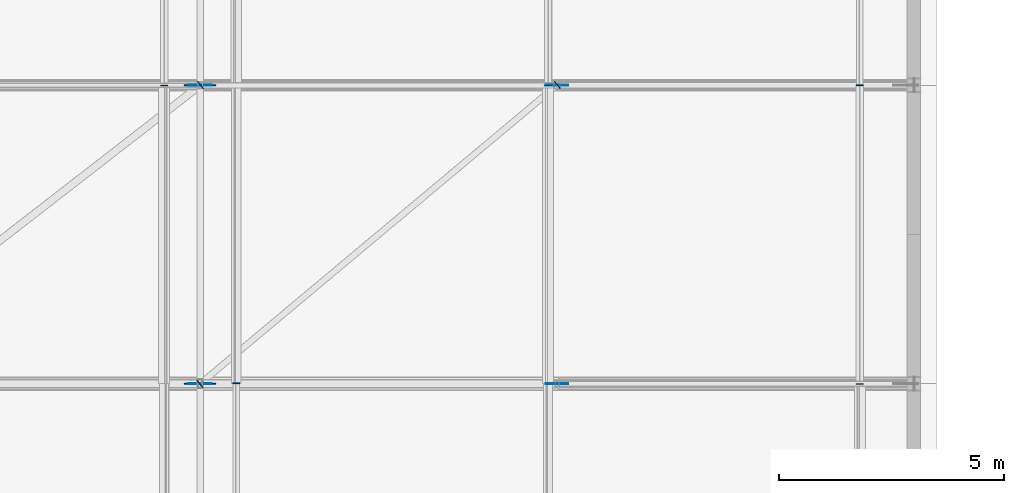
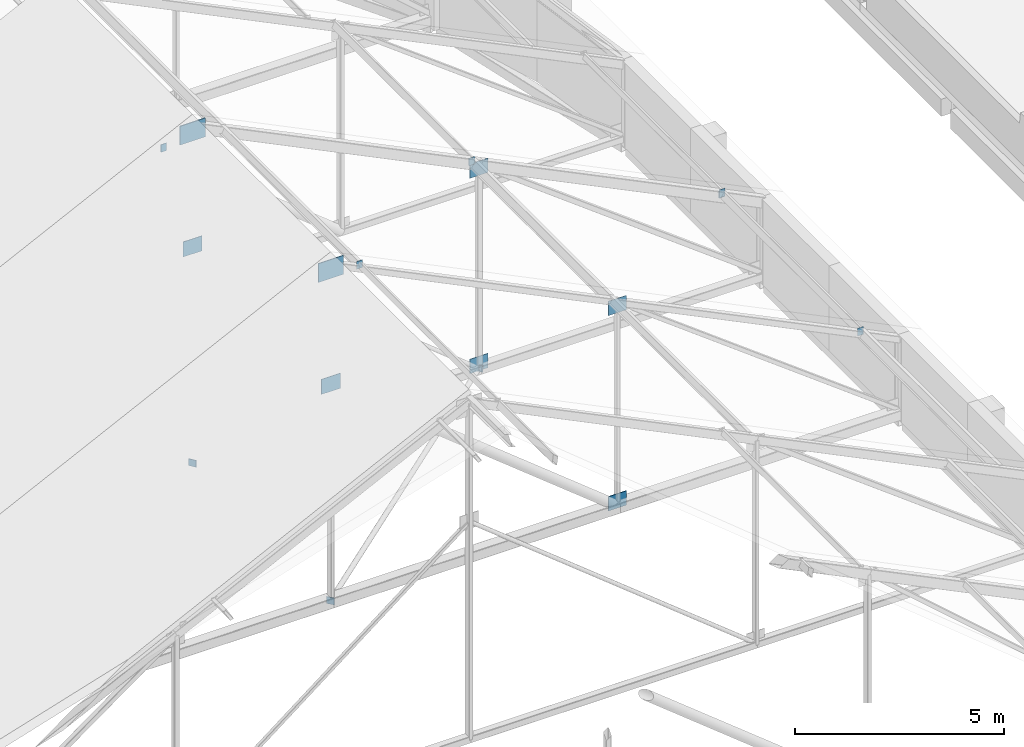
# One storey, part 42 of 78: 17 plates.
"""IFC4 building model written with IfcOpenShell, lengths in metres."""

from ifc_helpers import new_model, si_unit, direction, frame, origin, origin_2d, place, context, subcontext, project, spatial, rectangle, extrude, material, layer, layer_set, type_object, element, save


model = new_model("IFC4")

# Units and contexts
model_context = context("Model", 3, precision=1e-05, world=origin(), true_north=direction((0.0, 1.0)))
body_context = subcontext(model_context, "Body", "Model", "MODEL_VIEW")
ifc_project = project(units=[si_unit("LENGTHUNIT", "METRE"), si_unit("AREAUNIT", "SQUARE_METRE"), si_unit("VOLUMEUNIT", "CUBIC_METRE"), si_unit("PLANEANGLEUNIT", "RADIAN"), si_unit("MASSUNIT", "GRAM", prefix="KILO")], contexts=[model_context])

# Site, building, storey
site_placement = place(None, origin())
site = spatial("IfcSite", under=ifc_project, at=site_placement, CompositionType="ELEMENT")
building_placement = place(site_placement, origin())
building = spatial("IfcBuilding", under=site, at=building_placement, Name="Kelanivale Promenade Academy", CompositionType="ELEMENT")
storey_placement = place(building_placement, frame((0.0, 0.0, 16.199951171875)))
storey = spatial("IfcBuildingStorey", under=building, at=storey_placement, Name="L04", CompositionType="ELEMENT", Elevation=16.199951171875)

# Plates
ifc_material = material(Name="Steel S355", Category="steel")
ifc_layer_1 = layer(ifc_material, 0.01611328125)
ifc_layer_set_1 = layer_set([ifc_layer_1], Name="Steel S355")
plate_type_1 = type_object("IfcPlateType", Name="TN-CP16 Plate 16mm", PredefinedType="USERDEFINED", material=ifc_layer_set_1)
for number, where, z_axis, x_axis, name in (
    (1, (20.39990234375, 52.89404296875, 9.63330078125), (0.0, 0.0, 1.0), (0.0, 1.0, 0.0), "ROOF TRUSS TN-4 hollow-section end cap plate"),
    (2, (34.25, 52.8779296875, 2.8408203125), (0.0, 0.0, 1.0), (0.0, -1.0, 0.0), "ROOF TRUSS TN-4 hollow-section end cap plate"),
    (3, (34.25, 59.52197265625, 2.8408203125), (0.0, 0.0, 1.0), (0.0, 1.0, 0.0), "ROOF TRUSS TN-4 hollow-section end cap plate"),
):
    element("IfcPlate", number, at=place(storey_placement, frame(where, z_axis=z_axis, x_axis=x_axis)), inside=storey, type_object=plate_type_1, Name=name, ObjectType="CAP PLATE", PredefinedType="USERDEFINED", context=body_context, shape_type="SweptSolid", body=[
        extrude(rectangle(XDim=0.01611328125, YDim=0.159912109375, at=origin_2d()), origin(), (0.0, 0.0, 1.0), 0.219970703125),
    ])
for number, where, z_axis, x_axis, name in (
    (4, (19.60595703125, 59.51904296875, 0.10009765625), (0.0, 0.0, 1.0), (0.790261972801, 0.612769136253, 0.0), "ROOF TRUSS TN-3 hollow-section end cap plate"),
    (5, (19.593994140625, 52.881103515625, 0.10009765625), (0.0, 0.0, 1.0), (-0.767053186051, -0.641583517377, 0.0), "ROOF TRUSS TN-3 hollow-section end cap plate"),
    (6, (27.531005859375, 59.51904296875, 0.10009765625), (0.0, 0.0, 1.0), (0.767053186051, 0.641583517377, 0.0), "ROOF TRUSS TN-3 hollow-section end cap plate"),
):
    element("IfcPlate", number, at=place(storey_placement, frame(where, z_axis=z_axis, x_axis=x_axis)), inside=storey, type_object=plate_type_1, Name=name, ObjectType="CAP PLATE", PredefinedType="USERDEFINED", context=body_context, shape_type="SweptSolid", body=[
        extrude(rectangle(XDim=0.01611328125, YDim=0.199951171875, at=origin_2d()), origin(), (0.0, 0.0, 1.0), 0.199951171875),
    ])
for number, where, z_axis, x_axis, name in (
    (7, (18.800048828125, 59.506103515625, 9.60498046875), (0.0, 0.0, 1.0), (0.0, -1.0, 0.0), "ROOF TRUSS TN-4 hollow-section end cap plate"),
    (8, (27.324951171875, 59.506103515625, 6.22314453125), (0.0, 0.0, 1.0), (0.0, -1.0, 0.0), "ROOF TRUSS TN-4 hollow-section end cap plate"),
    (9, (34.25, 59.506103515625, 2.869140625), (0.0, 0.0, 1.0), (0.0, -1.0, 0.0), "ROOF TRUSS TN-4 hollow-section end cap plate"),
):
    element("IfcPlate", number, at=place(storey_placement, frame(where, z_axis=z_axis, x_axis=x_axis)), inside=storey, type_object=plate_type_1, Name=name, ObjectType="CAP PLATE", PredefinedType="USERDEFINED", context=body_context, shape_type="SweptSolid", body=[
        extrude(rectangle(XDim=0.01611328125, YDim=0.159912109375, at=origin_2d()), origin(), (0.0, 0.0, 1.0), 0.219970703125),
    ])
ifc_layer_2 = layer(ifc_material, 0.01611328125)
ifc_layer_set_2 = layer_set([ifc_layer_2], Name="Steel S355")
plate_type_2 = type_object("IfcPlateType", Name="TN-GP16 Plate 16mm", PredefinedType="USERDEFINED", material=ifc_layer_set_2)
plate_1_placement = place(storey_placement, frame((19.60009765625, 52.885986328125, 6.320068359375), z_axis=(0.0, 0.0, 1.0), x_axis=(1.0, 0.0, 0.0)))
element("IfcPlate", 10, at=plate_1_placement, inside=storey, type_object=plate_type_2, Name="ROOF TRUSS TN-2D welded node gusset plate", ObjectType="GUSSET PLATE", PredefinedType="USERDEFINED", context=body_context, shape_type="SweptSolid", body=[
    extrude(rectangle(XDim=0.52001953125, YDim=0.01611328125, at=origin_2d()), origin(), (0.0, 0.0, 1.0), 0.43994140625),
])
for number, where, z_axis, x_axis, name in (
    (11, (27.52490234375, 52.885986328125, 0.130126953125), (0.0, 0.0, 1.0), (1.0, 0.0, 0.0), "ROOF TRUSS TN-3E welded node gusset plate"),
    (12, (27.52490234375, 52.885986328125, 5.842041015625), (0.0, 0.0, 1.0), (1.0, 0.0, 0.0), "ROOF TRUSS TN-4E welded node gusset plate"),
):
    element("IfcPlate", number, at=place(storey_placement, frame(where, z_axis=z_axis, x_axis=x_axis)), inside=storey, type_object=plate_type_2, Name=name, ObjectType="GUSSET PLATE", PredefinedType="USERDEFINED", context=body_context, shape_type="SweptSolid", body=[
        extrude(rectangle(XDim=0.5, YDim=0.01611328125, at=origin_2d()), origin(), (0.0, 0.0, 1.0), 0.419921875),
    ])
plate_2_placement = place(storey_placement, frame((19.60009765625, 59.513916015625, 6.320068359375), z_axis=(0.0, 0.0, 1.0), x_axis=(1.0, 0.0, 0.0)))
element("IfcPlate", 13, at=plate_2_placement, inside=storey, type_object=plate_type_2, Name="ROOF TRUSS TN-2D welded node gusset plate", ObjectType="GUSSET PLATE", PredefinedType="USERDEFINED", context=body_context, shape_type="SweptSolid", body=[
    extrude(rectangle(XDim=0.52001953125, YDim=0.01611328125, at=origin_2d()), origin(), (0.0, 0.0, 1.0), 0.43994140625),
])
for number, where, z_axis, x_axis, name in (
    (14, (27.52490234375, 59.513916015625, 0.130126953125), (0.0, 0.0, 1.0), (1.0, 0.0, 0.0), "ROOF TRUSS TN-3E welded node gusset plate"),
    (15, (27.52490234375, 59.513916015625, 5.842041015625), (0.0, 0.0, 1.0), (1.0, 0.0, 0.0), "ROOF TRUSS TN-4E welded node gusset plate"),
):
    element("IfcPlate", number, at=place(storey_placement, frame(where, z_axis=z_axis, x_axis=x_axis)), inside=storey, type_object=plate_type_2, Name=name, ObjectType="GUSSET PLATE", PredefinedType="USERDEFINED", context=body_context, shape_type="SweptSolid", body=[
        extrude(rectangle(XDim=0.5, YDim=0.01611328125, at=origin_2d()), origin(), (0.0, 0.0, 1.0), 0.419921875),
    ])
ifc_layer_3 = layer(ifc_material, 0.02490234375)
ifc_layer_set_3 = layer_set([ifc_layer_3], Name="Steel S355")
plate_type_3 = type_object("IfcPlateType", Name="TN-GP25 Plate 25mm", PredefinedType="USERDEFINED", material=ifc_layer_set_3)
for number, where, z_axis, x_axis, name in (
    (16, (19.60009765625, 52.885986328125, 9.626953125), (0.0, 0.0, 1.0), (1.0, 0.0, 0.0), "ROOF TRUSS TN-2 welded node gusset plate"),
    (17, (19.60009765625, 59.513916015625, 9.626953125), (0.0, 0.0, 1.0), (1.0, 0.0, 0.0), "ROOF TRUSS TN-2 welded node gusset plate"),
):
    element("IfcPlate", number, at=place(storey_placement, frame(where, z_axis=z_axis, x_axis=x_axis)), inside=storey, type_object=plate_type_3, Name=name, ObjectType="GUSSET PLATE", PredefinedType="USERDEFINED", context=body_context, shape_type="SweptSolid", body=[
        extrude(rectangle(XDim=0.699951171875, YDim=0.02490234375, at=origin_2d()), origin(), (0.0, 0.0, 1.0), 0.550048828125),
    ])

save(model, "model.ifc")
